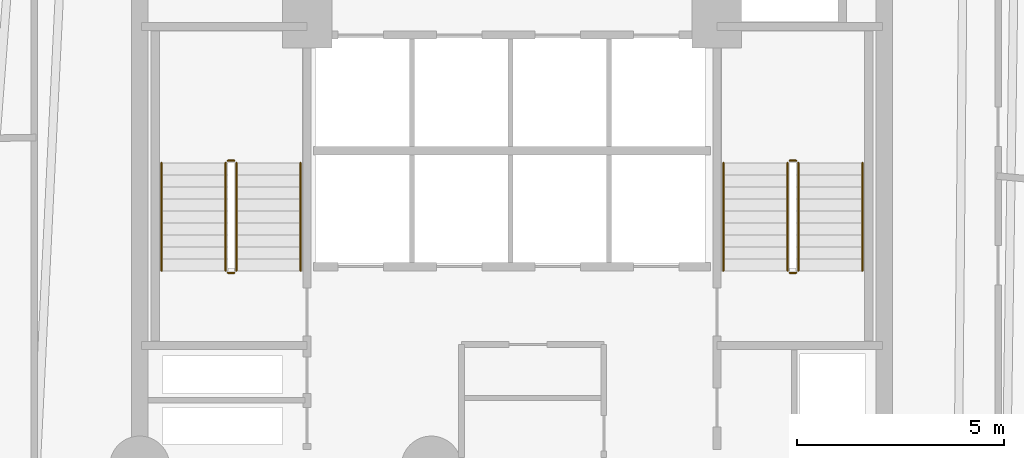
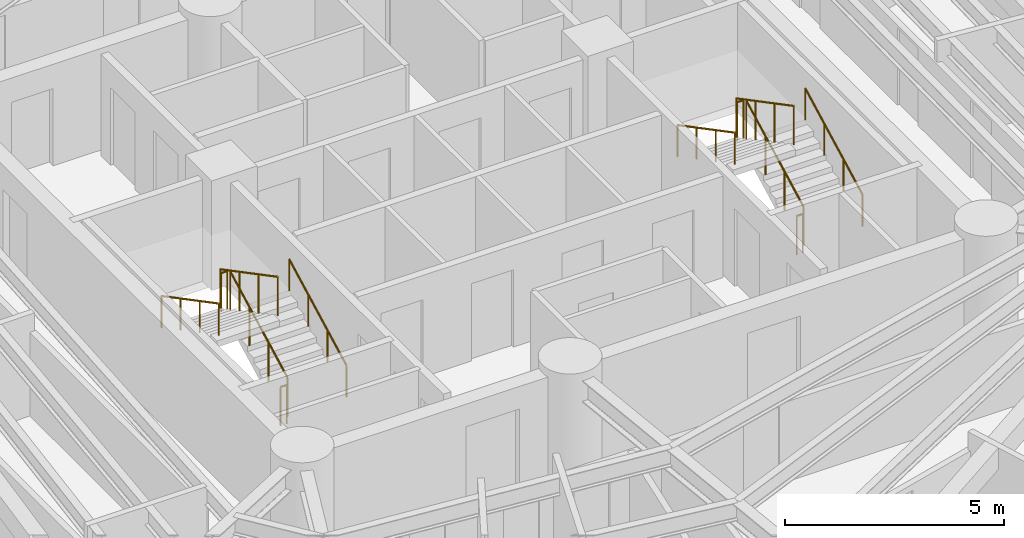
# One storey, part 8 of 8: 12 railings.
"""IFC4 building model written with IfcOpenShell, lengths in metres."""

from ifc_helpers import new_model, si_unit, direction, frame, origin, origin_2d, place, context, subcontext, project, spatial, circle, extrude, material, layer, layer_set, type_object, element, save


model = new_model("IFC4")

# Units and contexts
model_context = context("Model", 3, precision=1e-05, world=origin(), true_north=direction((0.0, 1.0)))
body_context = subcontext(model_context, "Body", "Model", "MODEL_VIEW")
ifc_project = project(units=[si_unit("LENGTHUNIT", "METRE"), si_unit("AREAUNIT", "SQUARE_METRE"), si_unit("VOLUMEUNIT", "CUBIC_METRE"), si_unit("PLANEANGLEUNIT", "RADIAN"), si_unit("MASSUNIT", "GRAM", prefix="KILO")], contexts=[model_context])

# Site, building, storey
site_placement = place(None, origin())
site = spatial("IfcSite", under=ifc_project, at=site_placement, CompositionType="ELEMENT")
building_placement = place(site_placement, origin())
building = spatial("IfcBuilding", under=site, at=building_placement, Name="Karkom Vertical University and Central Library", CompositionType="ELEMENT")
storey_placement = place(building_placement, frame((0.0, 0.0, 105.35009765625)))
storey = spatial("IfcBuildingStorey", under=building, at=storey_placement, Name="L28", CompositionType="ELEMENT", Elevation=105.35009765625)

# Railings
ifc_material_1 = material(Name="Painted galvanised steel balustrade", Category="steel")
ifc_layer_1 = layer(ifc_material_1, 0.06005859375)
ifc_layer_set_1 = layer_set([ifc_layer_1], Name="Painted galvanised steel balustrade")
railing_type_1 = type_object("IfcRailingType", Name="INT-RL-GUARD1100", PredefinedType="GUARDRAIL", material=ifc_layer_set_1)
railing_1_placement = place(storey_placement, frame((21.840087890625, 23.02001953125, 0.15234375)))
element("IfcRailing", 1, at=railing_1_placement, inside=storey, type_object=railing_type_1, Name="Level 28 ST-1 stair guard 1", PredefinedType="GUARDRAIL", context=body_context, shape_type="SweptSolid", body=[
    extrude(circle(Radius=0.02392578125, at=origin_2d()), frame((0.0, 0.0, 1.076171875), z_axis=(0.0, 0.885065446896, 0.46546659892), x_axis=(-1.0, 0.0, 0.0)), (0.0, 0.0, 1.0), 2.94873046875),
    extrude(circle(Radius=0.02099609375, at=origin_2d()), origin(), (0.0, 0.0, 1.0), 1.052001953125),
    extrude(circle(Radius=0.02099609375, at=origin_2d()), frame((0.0, 0.869873046875, 0.45751953125)), (0.0, 0.0, 1.0), 1.052001953125),
    extrude(circle(Radius=0.02099609375, at=origin_2d()), frame((0.0, 1.739990234375, 0.9150390625)), (0.0, 0.0, 1.0), 1.052001953125),
    extrude(circle(Radius=0.02099609375, at=origin_2d()), frame((0.0, 2.60986328125, 1.37255859375)), (0.0, 0.0, 1.0), 1.052001953125),
])
railing_2_placement = place(storey_placement, frame((21.7900390625, 25.679931640625, 1.52490234375)))
element("IfcRailing", 2, at=railing_2_placement, inside=storey, type_object=railing_type_1, Name="Level 28 ST-1 stair guard 2", PredefinedType="GUARDRAIL", context=body_context, shape_type="SweptSolid", body=[
    extrude(circle(Radius=0.02392578125, at=origin_2d()), frame((0.0, 0.0, 1.076171875), z_axis=(-1.0, 0.0, 0.0), x_axis=(0.0, -1.0, 0.0)), (0.0, 0.0, 1.0), 0.16015625),
    extrude(circle(Radius=0.02099609375, at=origin_2d()), origin(), (0.0, 0.0, 1.0), 1.052001953125),
    extrude(circle(Radius=0.02099609375, at=origin_2d()), frame((-0.16015625, 0.0, 0.0)), (0.0, 0.0, 1.0), 1.052001953125),
])
railing_3_placement = place(storey_placement, frame((21.580078125, 25.6298828125, 1.677490234375)))
element("IfcRailing", 3, at=railing_3_placement, inside=storey, type_object=railing_type_1, Name="Level 28 ST-1 stair guard 3", PredefinedType="GUARDRAIL", context=body_context, shape_type="SweptSolid", body=[
    extrude(circle(Radius=0.02392578125, at=origin_2d()), frame((0.0, 0.0, 1.076171875), z_axis=(0.0, -0.885099554253, 0.465401739426), x_axis=(1.0, 0.0, 0.0)), (0.0, 0.0, 1.0), 2.94873046875),
    extrude(circle(Radius=0.02099609375, at=origin_2d()), origin(), (0.0, 0.0, 1.0), 1.052001953125),
    extrude(circle(Radius=0.02099609375, at=origin_2d()), frame((0.0, -0.869873046875, 0.45751953125)), (0.0, 0.0, 1.0), 1.052001953125),
    extrude(circle(Radius=0.02099609375, at=origin_2d()), frame((0.0, -1.739990234375, 0.914794921875)), (0.0, 0.0, 1.0), 1.052001953125),
    extrude(circle(Radius=0.02099609375, at=origin_2d()), frame((0.0, -2.60986328125, 1.372314453125)), (0.0, 0.0, 1.0), 1.052001953125),
])
railing_4_placement = place(storey_placement, frame((21.7900390625, 22.969970703125, 0.0)))
element("IfcRailing", 4, at=railing_4_placement, inside=storey, type_object=railing_type_1, Name="Level 28 ST-1 stair guard 4", PredefinedType="GUARDRAIL", context=body_context, shape_type="SweptSolid", body=[
    extrude(circle(Radius=0.02392578125, at=origin_2d()), frame((0.0, 0.0, 1.076171875), z_axis=(-1.0, 0.0, 0.0), x_axis=(0.0, -1.0, 0.0)), (0.0, 0.0, 1.0), 0.16015625),
    extrude(circle(Radius=0.02099609375, at=origin_2d()), origin(), (0.0, 0.0, 1.0), 1.052001953125),
    extrude(circle(Radius=0.02099609375, at=origin_2d()), frame((-0.16015625, 0.0, 0.0)), (0.0, 0.0, 1.0), 1.052001953125),
])
railing_5_placement = place(storey_placement, frame((35.419921875, 23.02001953125, 0.15234375)))
element("IfcRailing", 5, at=railing_5_placement, inside=storey, type_object=railing_type_1, Name="Level 28 ST-2 stair guard 1", PredefinedType="GUARDRAIL", context=body_context, shape_type="SweptSolid", body=[
    extrude(circle(Radius=0.02392578125, at=origin_2d()), frame((0.0, 0.0, 1.076171875), z_axis=(0.0, 0.885065446896, 0.46546659892), x_axis=(-1.0, 0.0, 0.0)), (0.0, 0.0, 1.0), 2.94873046875),
    extrude(circle(Radius=0.02099609375, at=origin_2d()), origin(), (0.0, 0.0, 1.0), 1.052001953125),
    extrude(circle(Radius=0.02099609375, at=origin_2d()), frame((0.0, 0.869873046875, 0.45751953125)), (0.0, 0.0, 1.0), 1.052001953125),
    extrude(circle(Radius=0.02099609375, at=origin_2d()), frame((0.0, 1.739990234375, 0.9150390625)), (0.0, 0.0, 1.0), 1.052001953125),
    extrude(circle(Radius=0.02099609375, at=origin_2d()), frame((0.0, 2.60986328125, 1.37255859375)), (0.0, 0.0, 1.0), 1.052001953125),
])
railing_6_placement = place(storey_placement, frame((35.3701171875, 25.679931640625, 1.52490234375)))
element("IfcRailing", 6, at=railing_6_placement, inside=storey, type_object=railing_type_1, Name="Level 28 ST-2 stair guard 2", PredefinedType="GUARDRAIL", context=body_context, shape_type="SweptSolid", body=[
    extrude(circle(Radius=0.02392578125, at=origin_2d()), frame((0.0, 0.0, 1.076171875), z_axis=(-1.0, 0.0, 0.0), x_axis=(0.0, -1.0, 0.0)), (0.0, 0.0, 1.0), 0.16015625),
    extrude(circle(Radius=0.02099609375, at=origin_2d()), origin(), (0.0, 0.0, 1.0), 1.052001953125),
    extrude(circle(Radius=0.02099609375, at=origin_2d()), frame((-0.16015625, 0.0, 0.0)), (0.0, 0.0, 1.0), 1.052001953125),
])
railing_7_placement = place(storey_placement, frame((35.159912109375, 25.6298828125, 1.677490234375)))
element("IfcRailing", 7, at=railing_7_placement, inside=storey, type_object=railing_type_1, Name="Level 28 ST-2 stair guard 3", PredefinedType="GUARDRAIL", context=body_context, shape_type="SweptSolid", body=[
    extrude(circle(Radius=0.02392578125, at=origin_2d()), frame((0.0, 0.0, 1.076171875), z_axis=(0.0, -0.885099554253, 0.465401739426), x_axis=(1.0, 0.0, 0.0)), (0.0, 0.0, 1.0), 2.94873046875),
    extrude(circle(Radius=0.02099609375, at=origin_2d()), origin(), (0.0, 0.0, 1.0), 1.052001953125),
    extrude(circle(Radius=0.02099609375, at=origin_2d()), frame((0.0, -0.869873046875, 0.45751953125)), (0.0, 0.0, 1.0), 1.052001953125),
    extrude(circle(Radius=0.02099609375, at=origin_2d()), frame((0.0, -1.739990234375, 0.914794921875)), (0.0, 0.0, 1.0), 1.052001953125),
    extrude(circle(Radius=0.02099609375, at=origin_2d()), frame((0.0, -2.60986328125, 1.372314453125)), (0.0, 0.0, 1.0), 1.052001953125),
])
railing_8_placement = place(storey_placement, frame((35.3701171875, 22.969970703125, 0.0)))
element("IfcRailing", 8, at=railing_8_placement, inside=storey, type_object=railing_type_1, Name="Level 28 ST-2 stair guard 4", PredefinedType="GUARDRAIL", context=body_context, shape_type="SweptSolid", body=[
    extrude(circle(Radius=0.02392578125, at=origin_2d()), frame((0.0, 0.0, 1.076171875), z_axis=(-1.0, 0.0, 0.0), x_axis=(0.0, -1.0, 0.0)), (0.0, 0.0, 1.0), 0.16015625),
    extrude(circle(Radius=0.02099609375, at=origin_2d()), origin(), (0.0, 0.0, 1.0), 1.052001953125),
    extrude(circle(Radius=0.02099609375, at=origin_2d()), frame((-0.16015625, 0.0, 0.0)), (0.0, 0.0, 1.0), 1.052001953125),
])
ifc_material_2 = material(Name="Brushed stainless-steel tubular handrail", Category="steel")
ifc_layer_2 = layer(ifc_material_2, 0.048095703125)
ifc_layer_set_2 = layer_set([ifc_layer_2], Name="Brushed stainless-steel tubular handrail")
railing_type_2 = type_object("IfcRailingType", Name="INT-RL-HAND920", PredefinedType="HANDRAIL", material=ifc_layer_set_2)
railing_9_placement = place(storey_placement, frame((23.389892578125, 23.02001953125, 0.15234375)))
element("IfcRailing", 9, at=railing_9_placement, inside=storey, type_object=railing_type_2, Name="Level 28 ST-1 stair handrail 1", PredefinedType="HANDRAIL", context=body_context, shape_type="SweptSolid", body=[
    extrude(circle(Radius=0.02392578125, at=origin_2d()), frame((0.0, 0.0, 0.8759765625), z_axis=(0.0, 0.885065446896, 0.46546659892), x_axis=(-1.0, 0.0, 0.0)), (0.0, 0.0, 1.0), 2.94873046875),
    extrude(circle(Radius=0.02099609375, at=origin_2d()), origin(), (0.0, 0.0, 1.0), 0.851806640625),
    extrude(circle(Radius=0.02099609375, at=origin_2d()), frame((0.0, 0.869873046875, 0.45751953125)), (0.0, 0.0, 1.0), 0.851806640625),
    extrude(circle(Radius=0.02099609375, at=origin_2d()), frame((0.0, 1.739990234375, 0.9150390625)), (0.0, 0.0, 1.0), 0.851806640625),
    extrude(circle(Radius=0.02099609375, at=origin_2d()), frame((0.0, 2.60986328125, 1.37255859375)), (0.0, 0.0, 1.0), 0.851806640625),
])
railing_10_placement = place(storey_placement, frame((20.030029296875, 25.6298828125, 1.677490234375)))
element("IfcRailing", 10, at=railing_10_placement, inside=storey, type_object=railing_type_2, Name="Level 28 ST-1 stair handrail 2", PredefinedType="HANDRAIL", context=body_context, shape_type="SweptSolid", body=[
    extrude(circle(Radius=0.02392578125, at=origin_2d()), frame((0.0, 0.0, 0.8759765625), z_axis=(0.0, -0.885099554253, 0.465401739426), x_axis=(1.0, 0.0, 0.0)), (0.0, 0.0, 1.0), 2.94873046875),
    extrude(circle(Radius=0.02099609375, at=origin_2d()), origin(), (0.0, 0.0, 1.0), 0.851806640625),
    extrude(circle(Radius=0.02099609375, at=origin_2d()), frame((0.0, -0.869873046875, 0.45751953125)), (0.0, 0.0, 1.0), 0.851806640625),
    extrude(circle(Radius=0.02099609375, at=origin_2d()), frame((0.0, -1.739990234375, 0.914794921875)), (0.0, 0.0, 1.0), 0.851806640625),
    extrude(circle(Radius=0.02099609375, at=origin_2d()), frame((0.0, -2.60986328125, 1.372314453125)), (0.0, 0.0, 1.0), 0.851806640625),
])
railing_11_placement = place(storey_placement, frame((36.969970703125, 23.02001953125, 0.15234375)))
element("IfcRailing", 11, at=railing_11_placement, inside=storey, type_object=railing_type_2, Name="Level 28 ST-2 stair handrail 1", PredefinedType="HANDRAIL", context=body_context, shape_type="SweptSolid", body=[
    extrude(circle(Radius=0.02392578125, at=origin_2d()), frame((0.0, 0.0, 0.8759765625), z_axis=(0.0, 0.885065446896, 0.46546659892), x_axis=(-1.0, 0.0, 0.0)), (0.0, 0.0, 1.0), 2.94873046875),
    extrude(circle(Radius=0.02099609375, at=origin_2d()), origin(), (0.0, 0.0, 1.0), 0.851806640625),
    extrude(circle(Radius=0.02099609375, at=origin_2d()), frame((0.0, 0.869873046875, 0.45751953125)), (0.0, 0.0, 1.0), 0.851806640625),
    extrude(circle(Radius=0.02099609375, at=origin_2d()), frame((0.0, 1.739990234375, 0.9150390625)), (0.0, 0.0, 1.0), 0.851806640625),
    extrude(circle(Radius=0.02099609375, at=origin_2d()), frame((0.0, 2.60986328125, 1.37255859375)), (0.0, 0.0, 1.0), 0.851806640625),
])
railing_12_placement = place(storey_placement, frame((33.610107421875, 25.6298828125, 1.677490234375)))
element("IfcRailing", 12, at=railing_12_placement, inside=storey, type_object=railing_type_2, Name="Level 28 ST-2 stair handrail 2", PredefinedType="HANDRAIL", context=body_context, shape_type="SweptSolid", body=[
    extrude(circle(Radius=0.02392578125, at=origin_2d()), frame((0.0, 0.0, 0.8759765625), z_axis=(0.0, -0.885099554253, 0.465401739426), x_axis=(1.0, 0.0, 0.0)), (0.0, 0.0, 1.0), 2.94873046875),
    extrude(circle(Radius=0.02099609375, at=origin_2d()), origin(), (0.0, 0.0, 1.0), 0.851806640625),
    extrude(circle(Radius=0.02099609375, at=origin_2d()), frame((0.0, -0.869873046875, 0.45751953125)), (0.0, 0.0, 1.0), 0.851806640625),
    extrude(circle(Radius=0.02099609375, at=origin_2d()), frame((0.0, -1.739990234375, 0.914794921875)), (0.0, 0.0, 1.0), 0.851806640625),
    extrude(circle(Radius=0.02099609375, at=origin_2d()), frame((0.0, -2.60986328125, 1.372314453125)), (0.0, 0.0, 1.0), 0.851806640625),
])

save(model, "model.ifc")
